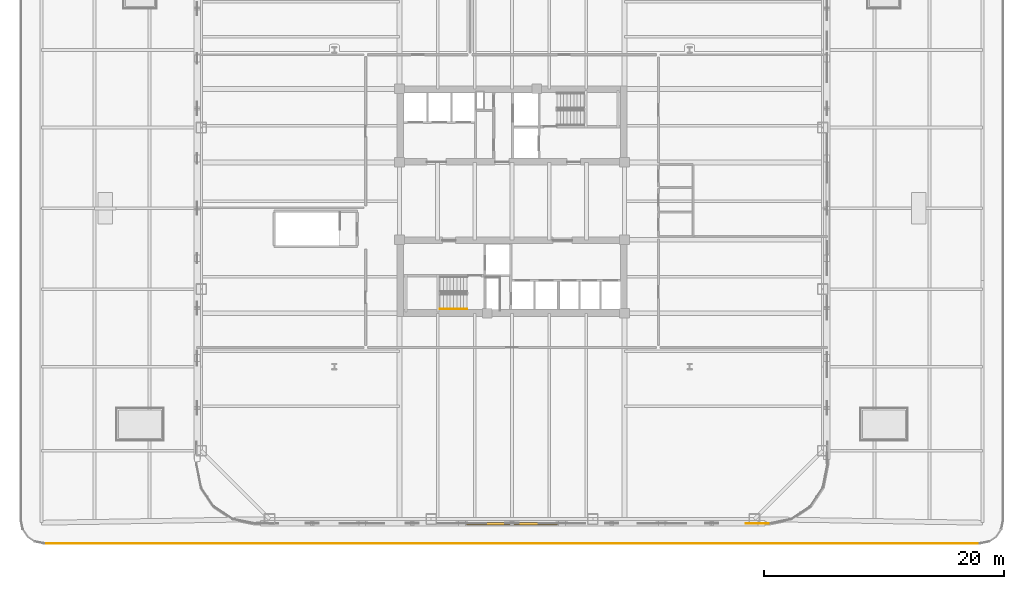
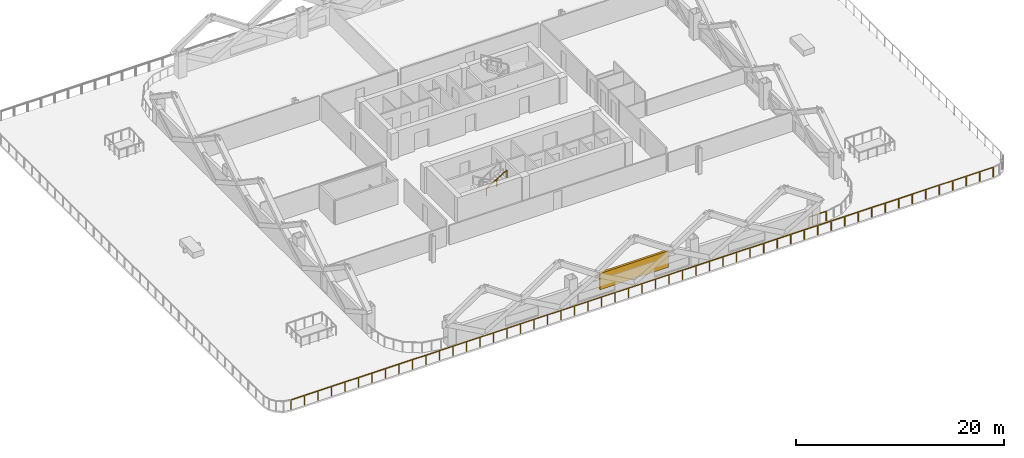
# One storey, part 12 of 17: 3 railings, 1 shading device.
"""IFC4 building model written with IfcOpenShell, lengths in metres."""

import ifcopenshell
import ifcopenshell.guid

model = None  # the IFC model being written
_history = None  # IfcOwnerHistory: only IFC2X3 demands one
_inside = {}  # id of a spatial element -> (the spatial element, [elements in it])
_under = {}  # id of a project, library or spatial element -> (it, [spatial elements below it])
_declared = {}  # id of a project -> (the project, [libraries it declares])
_typed = {}  # id of a type object -> (the type object, [elements of that type])
_made_of = {}  # id of a material, layer set ... -> (it, [elements and type objects made of it])


def new_model(schema):
    """Start an empty IFC model of exactly this schema.

    Asked for "IFC4X3", IfcOpenShell would pick the latest addendum, in which some entities
    have other attributes; the version numbers below select the first issue.
    IFC2X3 requires an IfcOwnerHistory on every rooted entity: one is made here for all.
    """
    global model, _history
    if schema == "IFC4X3":
        model = ifcopenshell.file(schema_version=(4, 3, 0, 0))
    else:
        model = ifcopenshell.file(schema=schema)
    _inside.clear()
    _under.clear()
    _declared.clear()
    _typed.clear()
    _made_of.clear()
    _history = None
    if model.schema == "IFC2X3":
        org = make("IfcOrganization", Name="unknown")
        user = make(
            "IfcPersonAndOrganization",
            ThePerson=make("IfcPerson", FamilyName="unknown"),
            TheOrganization=org,
        )
        app = make(
            "IfcApplication",
            ApplicationDeveloper=org,
            Version="unknown",
            ApplicationFullName="unknown",
            ApplicationIdentifier="unknown",
        )
        _history = make(
            "IfcOwnerHistory",
            OwningUser=user,
            OwningApplication=app,
            ChangeAction="ADDED",
            CreationDate=0,
        )
    return model


def make(cls, **values):
    """One entity of the class cls with the attributes given. An attribute that is None is left unset."""
    return model.create_entity(
        cls, **{name: value for name, value in values.items() if value is not None}
    )


def rooted(cls, **values):
    """An entity with a GlobalId (a new one), such as an element, a storey or a relation."""
    return make(cls, GlobalId=ifcopenshell.guid.new(), OwnerHistory=_history, **values)


def si_unit(unit_type, name, prefix=None):
    """IfcSIUnit, for example si_unit("LENGTHUNIT", "METRE", prefix="MILLI")."""
    return make("IfcSIUnit", UnitType=unit_type, Prefix=prefix, Name=name)


def assignment(units):
    """IfcUnitAssignment: the units of a project."""
    return None if units is None else make("IfcUnitAssignment", Units=units)


def point(xyz):
    """IfcCartesianPoint."""
    return None if xyz is None else make("IfcCartesianPoint", Coordinates=xyz)


def direction(xyz):
    """IfcDirection."""
    return None if xyz is None else make("IfcDirection", DirectionRatios=xyz)


def frame(location, z_axis=None, x_axis=None):
    """IfcAxis2Placement3D, a coordinate frame: its origin and axes. An axis left out is left unset."""
    return make(
        "IfcAxis2Placement3D",
        Location=point(location),
        Axis=direction(z_axis),
        RefDirection=direction(x_axis),
    )


def frame_2d(location, x_axis=None):
    """IfcAxis2Placement2D, a coordinate frame in the plane: its origin and x axis."""
    return make(
        "IfcAxis2Placement2D", Location=point(location), RefDirection=direction(x_axis)
    )


def origin():
    """The frame at (0, 0, 0) with its axes left unset."""
    return frame((0.0, 0.0, 0.0))


def origin_2d():
    """The frame at (0, 0) in the plane with its x axis left unset."""
    return frame_2d((0.0, 0.0))


def place(relative_to, where):
    """IfcLocalPlacement: puts the frame where relative to a parent placement (None: the world)."""
    return make(
        "IfcLocalPlacement", PlacementRelTo=relative_to, RelativePlacement=where
    )


def context(
    kind, dimensions, precision=None, world=None, true_north=None, identifier=None
):
    """IfcGeometricRepresentationContext, for example the 3D "Model" context."""
    return make(
        "IfcGeometricRepresentationContext",
        ContextIdentifier=identifier,
        ContextType=kind,
        CoordinateSpaceDimension=dimensions,
        Precision=precision,
        WorldCoordinateSystem=world,
        TrueNorth=true_north,
    )


def subcontext(parent, identifier, kind, view, scale=None):
    """IfcGeometricRepresentationSubContext, for example "Body" below "Model"."""
    return make(
        "IfcGeometricRepresentationSubContext",
        ContextIdentifier=identifier,
        ContextType=kind,
        ParentContext=parent,
        TargetScale=scale,
        TargetView=view,
    )


def project(units=None, contexts=None):
    """IfcProject with its units and contexts."""
    return rooted(
        "IfcProject",
        Name="project",
        RepresentationContexts=contexts,
        UnitsInContext=assignment(units),
    )


def spatial(cls, under=None, at=None, **own):
    """A site, building, storey or space (cls), placed at a placement, below another one or the project."""
    s = rooted(cls, ObjectPlacement=at, **own)
    if under is not None:
        _under.setdefault(under.id(), (under, []))[1].append(s)
    return s


def profile(cls, at=None, kind="AREA", **sizes):
    """A parametric profile (cls). Its sizes go by their IFC names, for example OverallWidth=200.0."""
    return make(cls, ProfileType=kind, Position=at, **sizes)


def rectangle(**sizes):
    """IfcRectangleProfileDef."""
    return profile("IfcRectangleProfileDef", **sizes)


def extrude(swept, where, along, depth):
    """IfcExtrudedAreaSolid: the profile swept, set in the frame where, extruded along a direction by depth."""
    return make(
        "IfcExtrudedAreaSolid",
        SweptArea=swept,
        Position=where,
        ExtrudedDirection=direction(along),
        Depth=depth,
    )


def shape(context_of_items, identifier, shape_type, items):
    """IfcShapeRepresentation: the items that make up one representation, for example the "Body"."""
    return make(
        "IfcShapeRepresentation",
        ContextOfItems=context_of_items,
        RepresentationIdentifier=identifier,
        RepresentationType=shape_type,
        Items=items,
    )


def material(Name=None, Category=None):
    """IfcMaterial."""
    return make("IfcMaterial", Name=Name, Category=Category)


def made_of(thing, what):
    """Note that an element or type object is made of a material, layer set ...; save() writes the relation."""
    if what is not None:
        _made_of.setdefault(what.id(), (what, []))[1].append(thing)
    return thing


def type_object(cls, material=None, **own):
    """A type object (cls), such as IfcWallType, which elements share."""
    return made_of(rooted(cls, **own), material)


def element(
    cls,
    number,
    at=None,
    inside=None,
    cuts=None,
    type_object=None,
    material=None,
    context=None,
    identifier="Body",
    shape_type=None,
    held_by="IfcProductDefinitionShape",
    body=None,
    shapes=None,
    **own,
):
    """One element of the class cls, such as IfcWall. Its Tag is "e" and its number.

    at: its placement. inside: the storey or other place that contains it. cuts: it is an
    opening in that element (IfcRelVoidsElement). A single representation is given by context,
    identifier, shape_type and body (its items); several are given by shapes. held_by: the class
    of the entity that holds the representations. save() writes the other relations.
    """
    e = rooted(cls, Tag="e%d" % number, ObjectPlacement=at, **own)
    if body is not None:
        shapes = [shape(context, identifier, shape_type, body)]
    if shapes is not None:
        e.Representation = make(held_by, Representations=shapes)
    if inside is not None:
        _inside.setdefault(inside.id(), (inside, []))[1].append(e)
    if cuts is not None:
        rooted(
            "IfcRelVoidsElement", RelatingBuildingElement=cuts, RelatedOpeningElement=e
        )
    if type_object is not None:
        _typed.setdefault(type_object.id(), (type_object, []))[1].append(e)
    return made_of(e, material)


def aggregate(whole, parts):
    """IfcRelAggregates: a whole, such as a stair, and the parts it consists of."""
    return rooted("IfcRelAggregates", RelatingObject=whole, RelatedObjects=parts)


def save(model, path):
    """Write the relations noted so far, then the file.

    IfcRelAggregates (storeys below a building ...), IfcRelContainedInSpatialStructure (elements
    in a storey), IfcRelDefinesByType, IfcRelAssociatesMaterial and IfcRelDeclares: one each for
    every whole, place, type object, material and project.
    """
    for whole, parts in _under.values():
        aggregate(whole, parts)
    for where, things in _inside.values():
        rooted(
            "IfcRelContainedInSpatialStructure",
            RelatedElements=things,
            RelatingStructure=where,
        )
    for kind, things in _typed.values():
        rooted("IfcRelDefinesByType", RelatedObjects=things, RelatingType=kind)
    for what, things in _made_of.values():
        rooted("IfcRelAssociatesMaterial", RelatedObjects=things, RelatingMaterial=what)
    for by, libraries in _declared.values():
        rooted("IfcRelDeclares", RelatingContext=by, RelatedDefinitions=libraries)
    model.write(path)


model = new_model("IFC4")

# Units and contexts
model_context = context("Model", 3, precision=1e-05, world=origin(), true_north=direction((0.0, 1.0)))
body_context = subcontext(model_context, "Body", "Model", "MODEL_VIEW")
ifc_project = project(units=[si_unit("LENGTHUNIT", "METRE"), si_unit("AREAUNIT", "SQUARE_METRE"), si_unit("VOLUMEUNIT", "CUBIC_METRE"), si_unit("PLANEANGLEUNIT", "RADIAN"), si_unit("MASSUNIT", "GRAM", prefix="KILO")], contexts=[model_context])

# Site, building, storey
site_placement = place(None, origin())
site = spatial("IfcSite", under=ifc_project, at=site_placement, CompositionType="ELEMENT")
building_placement = place(site_placement, origin())
building = spatial("IfcBuilding", under=site, at=building_placement, Name="Qhalaya Broadcast Tower", CompositionType="ELEMENT")
storey_placement = place(building_placement, frame((0.0, 0.0, 26.10009765625)))
storey = spatial("IfcBuildingStorey", under=building, at=storey_placement, Name="L06", CompositionType="ELEMENT", Elevation=26.10009765625)

# Railings
ifc_material_1 = material(Name="Powder-Coated Galvanised Steel", Category="steel")
railing_type_1 = type_object("IfcRailingType", Name="Stair Wall Handrail 900", PredefinedType="HANDRAIL", material=ifc_material_1)
railing_1_placement = place(storey_placement, frame((-5.989990234375, -8.389892578125, 1.6943359375)))
element("IfcRailing", 1, at=railing_1_placement, inside=storey, type_object=railing_type_1, Name="L06 ST-2 Stair Handrail 2", PredefinedType="HANDRAIL", context=body_context, shape_type="SweptSolid", body=[
    extrude(rectangle(XDim=0.048095703125, YDim=0.048095703125, at=origin_2d()), frame((0.0, 0.0, 0.8759765625), z_axis=(0.855553338991, 0.0, 0.51771467445), x_axis=(0.0, 1.0, 0.0)), (0.0, 0.0, 1.0), 2.6181640625),
    extrude(rectangle(XDim=0.0419921875, YDim=0.0419921875, at=origin_2d()), origin(), (0.0, 0.0, 1.0), 0.849853515625),
    extrude(rectangle(XDim=0.0419921875, YDim=0.0419921875, at=origin_2d()), frame((1.1201171875, 0.0, 0.677734375)), (0.0, 0.0, 1.0), 0.849853515625),
    extrude(rectangle(XDim=0.0419921875, YDim=0.0419921875, at=origin_2d()), frame((2.239990234375, 0.0, 1.35546875)), (0.0, 0.0, 1.0), 0.849853515625),
])
railing_type_2 = type_object("IfcRailingType", Name="Terrace, Sky-Pool & Lookout Glass Balustrade 1150", PredefinedType="BALUSTRADE", material=ifc_material_1)
railing_2_placement = place(storey_placement, frame((38.9921875, -27.919921875, 0.0)))
element("IfcRailing", 2, at=railing_2_placement, inside=storey, type_object=railing_type_2, Name="L06 Perimeter Safety Balustrade BAL-TER1-01", PredefinedType="BALUSTRADE", context=body_context, shape_type="SweptSolid", body=[
    extrude(rectangle(XDim=0.048095703125, YDim=0.048095703125, at=origin_2d()), frame((0.0, 0.0, 1.1259765625), z_axis=(-1.0, 0.0, 0.0), x_axis=(0.0, -1.0, 0.0)), (0.0, 0.0, 1.0), 77.984375),
    extrude(rectangle(XDim=0.0419921875, YDim=0.0419921875, at=origin_2d()), origin(), (0.0, 0.0, 1.0), 1.099853515625),
    extrude(rectangle(XDim=0.0419921875, YDim=0.0419921875, at=origin_2d()), frame((-1.499755859375, 0.0, 0.0)), (0.0, 0.0, 1.0), 1.099853515625),
    extrude(rectangle(XDim=0.0419921875, YDim=0.0419921875, at=origin_2d()), frame((-2.99951171875, 0.0, 0.0)), (0.0, 0.0, 1.0), 1.099853515625),
    extrude(rectangle(XDim=0.0419921875, YDim=0.0419921875, at=origin_2d()), frame((-4.4990234375, 0.0, 0.0)), (0.0, 0.0, 1.0), 1.099853515625),
    extrude(rectangle(XDim=0.0419921875, YDim=0.0419921875, at=origin_2d()), frame((-5.998779296875, 0.0, 0.0)), (0.0, 0.0, 1.0), 1.099853515625),
    extrude(rectangle(XDim=0.0419921875, YDim=0.0419921875, at=origin_2d()), frame((-7.49853515625, 0.0, 0.0)), (0.0, 0.0, 1.0), 1.099853515625),
    extrude(rectangle(XDim=0.0419921875, YDim=0.0419921875, at=origin_2d()), frame((-8.998291015625, 0.0, 0.0)), (0.0, 0.0, 1.0), 1.099853515625),
    extrude(rectangle(XDim=0.0419921875, YDim=0.0419921875, at=origin_2d()), frame((-10.497802734375, 0.0, 0.0)), (0.0, 0.0, 1.0), 1.099853515625),
    extrude(rectangle(XDim=0.0419921875, YDim=0.0419921875, at=origin_2d()), frame((-11.99755859375, 0.0, 0.0)), (0.0, 0.0, 1.0), 1.099853515625),
    extrude(rectangle(XDim=0.0419921875, YDim=0.0419921875, at=origin_2d()), frame((-13.497314453125, 0.0, 0.0)), (0.0, 0.0, 1.0), 1.099853515625),
    extrude(rectangle(XDim=0.0419921875, YDim=0.0419921875, at=origin_2d()), frame((-14.9970703125, 0.0, 0.0)), (0.0, 0.0, 1.0), 1.099853515625),
    extrude(rectangle(XDim=0.0419921875, YDim=0.0419921875, at=origin_2d()), frame((-16.49658203125, 0.0, 0.0)), (0.0, 0.0, 1.0), 1.099853515625),
    extrude(rectangle(XDim=0.0419921875, YDim=0.0419921875, at=origin_2d()), frame((-17.996337890625, 0.0, 0.0)), (0.0, 0.0, 1.0), 1.099853515625),
    extrude(rectangle(XDim=0.0419921875, YDim=0.0419921875, at=origin_2d()), frame((-19.49609375, 0.0, 0.0)), (0.0, 0.0, 1.0), 1.099853515625),
    extrude(rectangle(XDim=0.0419921875, YDim=0.0419921875, at=origin_2d()), frame((-20.995849609375, 0.0, 0.0)), (0.0, 0.0, 1.0), 1.099853515625),
    extrude(rectangle(XDim=0.0419921875, YDim=0.0419921875, at=origin_2d()), frame((-22.49560546875, 0.0, 0.0)), (0.0, 0.0, 1.0), 1.099853515625),
    extrude(rectangle(XDim=0.0419921875, YDim=0.0419921875, at=origin_2d()), frame((-23.9951171875, 0.0, 0.0)), (0.0, 0.0, 1.0), 1.099853515625),
    extrude(rectangle(XDim=0.0419921875, YDim=0.0419921875, at=origin_2d()), frame((-25.494873046875, 0.0, 0.0)), (0.0, 0.0, 1.0), 1.099853515625),
    extrude(rectangle(XDim=0.0419921875, YDim=0.0419921875, at=origin_2d()), frame((-26.99462890625, 0.0, 0.0)), (0.0, 0.0, 1.0), 1.099853515625),
    extrude(rectangle(XDim=0.0419921875, YDim=0.0419921875, at=origin_2d()), frame((-28.494384765625, 0.0, 0.0)), (0.0, 0.0, 1.0), 1.099853515625),
    extrude(rectangle(XDim=0.0419921875, YDim=0.0419921875, at=origin_2d()), frame((-29.993896484375, 0.0, 0.0)), (0.0, 0.0, 1.0), 1.099853515625),
    extrude(rectangle(XDim=0.0419921875, YDim=0.0419921875, at=origin_2d()), frame((-31.49365234375, 0.0, 0.0)), (0.0, 0.0, 1.0), 1.099853515625),
    extrude(rectangle(XDim=0.0419921875, YDim=0.0419921875, at=origin_2d()), frame((-32.993408203125, 0.0, 0.0)), (0.0, 0.0, 1.0), 1.099853515625),
    extrude(rectangle(XDim=0.0419921875, YDim=0.0419921875, at=origin_2d()), frame((-34.4931640625, 0.0, 0.0)), (0.0, 0.0, 1.0), 1.099853515625),
    extrude(rectangle(XDim=0.0419921875, YDim=0.0419921875, at=origin_2d()), frame((-35.99267578125, 0.0, 0.0)), (0.0, 0.0, 1.0), 1.099853515625),
    extrude(rectangle(XDim=0.0419921875, YDim=0.0419921875, at=origin_2d()), frame((-37.492431640625, 0.0, 0.0)), (0.0, 0.0, 1.0), 1.099853515625),
    extrude(rectangle(XDim=0.0419921875, YDim=0.0419921875, at=origin_2d()), frame((-38.9921875, 0.0, 0.0)), (0.0, 0.0, 1.0), 1.099853515625),
    extrude(rectangle(XDim=0.0419921875, YDim=0.0419921875, at=origin_2d()), frame((-40.491943359375, 0.0, 0.0)), (0.0, 0.0, 1.0), 1.099853515625),
    extrude(rectangle(XDim=0.0419921875, YDim=0.0419921875, at=origin_2d()), frame((-41.99169921875, 0.0, 0.0)), (0.0, 0.0, 1.0), 1.099853515625),
    extrude(rectangle(XDim=0.0419921875, YDim=0.0419921875, at=origin_2d()), frame((-43.4912109375, 0.0, 0.0)), (0.0, 0.0, 1.0), 1.099853515625),
    extrude(rectangle(XDim=0.0419921875, YDim=0.0419921875, at=origin_2d()), frame((-44.990966796875, 0.0, 0.0)), (0.0, 0.0, 1.0), 1.099853515625),
    extrude(rectangle(XDim=0.0419921875, YDim=0.0419921875, at=origin_2d()), frame((-46.49072265625, 0.0, 0.0)), (0.0, 0.0, 1.0), 1.099853515625),
    extrude(rectangle(XDim=0.0419921875, YDim=0.0419921875, at=origin_2d()), frame((-47.990478515625, 0.0, 0.0)), (0.0, 0.0, 1.0), 1.099853515625),
    extrude(rectangle(XDim=0.0419921875, YDim=0.0419921875, at=origin_2d()), frame((-49.489990234375, 0.0, 0.0)), (0.0, 0.0, 1.0), 1.099853515625),
    extrude(rectangle(XDim=0.0419921875, YDim=0.0419921875, at=origin_2d()), frame((-50.98974609375, 0.0, 0.0)), (0.0, 0.0, 1.0), 1.099853515625),
    extrude(rectangle(XDim=0.0419921875, YDim=0.0419921875, at=origin_2d()), frame((-52.489501953125, 0.0, 0.0)), (0.0, 0.0, 1.0), 1.099853515625),
    extrude(rectangle(XDim=0.0419921875, YDim=0.0419921875, at=origin_2d()), frame((-53.9892578125, 0.0, 0.0)), (0.0, 0.0, 1.0), 1.099853515625),
    extrude(rectangle(XDim=0.0419921875, YDim=0.0419921875, at=origin_2d()), frame((-55.48876953125, 0.0, 0.0)), (0.0, 0.0, 1.0), 1.099853515625),
    extrude(rectangle(XDim=0.0419921875, YDim=0.0419921875, at=origin_2d()), frame((-56.988525390625, 0.0, 0.0)), (0.0, 0.0, 1.0), 1.099853515625),
    extrude(rectangle(XDim=0.0419921875, YDim=0.0419921875, at=origin_2d()), frame((-58.48828125, 0.0, 0.0)), (0.0, 0.0, 1.0), 1.099853515625),
    extrude(rectangle(XDim=0.0419921875, YDim=0.0419921875, at=origin_2d()), frame((-59.988037109375, 0.0, 0.0)), (0.0, 0.0, 1.0), 1.099853515625),
    extrude(rectangle(XDim=0.0419921875, YDim=0.0419921875, at=origin_2d()), frame((-61.48779296875, 0.0, 0.0)), (0.0, 0.0, 1.0), 1.099853515625),
    extrude(rectangle(XDim=0.0419921875, YDim=0.0419921875, at=origin_2d()), frame((-62.9873046875, 0.0, 0.0)), (0.0, 0.0, 1.0), 1.099853515625),
    extrude(rectangle(XDim=0.0419921875, YDim=0.0419921875, at=origin_2d()), frame((-64.487060546875, 0.0, 0.0)), (0.0, 0.0, 1.0), 1.099853515625),
    extrude(rectangle(XDim=0.0419921875, YDim=0.0419921875, at=origin_2d()), frame((-65.98681640625, 0.0, 0.0)), (0.0, 0.0, 1.0), 1.099853515625),
    extrude(rectangle(XDim=0.0419921875, YDim=0.0419921875, at=origin_2d()), frame((-67.486572265625, 0.0, 0.0)), (0.0, 0.0, 1.0), 1.099853515625),
    extrude(rectangle(XDim=0.0419921875, YDim=0.0419921875, at=origin_2d()), frame((-68.986083984375, 0.0, 0.0)), (0.0, 0.0, 1.0), 1.099853515625),
    extrude(rectangle(XDim=0.0419921875, YDim=0.0419921875, at=origin_2d()), frame((-70.48583984375, 0.0, 0.0)), (0.0, 0.0, 1.0), 1.099853515625),
    extrude(rectangle(XDim=0.0419921875, YDim=0.0419921875, at=origin_2d()), frame((-71.985595703125, 0.0, 0.0)), (0.0, 0.0, 1.0), 1.099853515625),
    extrude(rectangle(XDim=0.0419921875, YDim=0.0419921875, at=origin_2d()), frame((-73.4853515625, 0.0, 0.0)), (0.0, 0.0, 1.0), 1.099853515625),
    extrude(rectangle(XDim=0.0419921875, YDim=0.0419921875, at=origin_2d()), frame((-74.98486328125, 0.0, 0.0)), (0.0, 0.0, 1.0), 1.099853515625),
    extrude(rectangle(XDim=0.0419921875, YDim=0.0419921875, at=origin_2d()), frame((-76.484619140625, 0.0, 0.0)), (0.0, 0.0, 1.0), 1.099853515625),
    extrude(rectangle(XDim=0.0419921875, YDim=0.0419921875, at=origin_2d()), frame((-77.984375, 0.0, 0.0)), (0.0, 0.0, 1.0), 1.099853515625),
])
railing_3_placement = place(storey_placement, frame((21.38818359375, -26.280029296875, 0.0)))
element("IfcRailing", 3, at=railing_3_placement, inside=storey, type_object=railing_type_2, Name="L06 Rounded Corner Perimeter Guard 01", PredefinedType="BALUSTRADE", context=body_context, shape_type="SweptSolid", body=[
    extrude(rectangle(XDim=0.048095703125, YDim=0.048095703125, at=origin_2d()), frame((0.0, 0.0, 1.1259765625), z_axis=(-1.0, 0.0, 0.0), x_axis=(0.0, -1.0, 0.0)), (0.0, 0.0, 1.0), 1.90625),
    extrude(rectangle(XDim=0.0419921875, YDim=0.0419921875, at=origin_2d()), origin(), (0.0, 0.0, 1.0), 1.099853515625),
    extrude(rectangle(XDim=0.0419921875, YDim=0.0419921875, at=origin_2d()), frame((-0.953125, 0.0, 0.0)), (0.0, 0.0, 1.0), 1.099853515625),
    extrude(rectangle(XDim=0.0419921875, YDim=0.0419921875, at=origin_2d()), frame((-1.90625, 0.0, 0.0)), (0.0, 0.0, 1.0), 1.099853515625),
])

# Shading device
ifc_material_2 = material(Name="Fired Architectural Terracotta", Category="masonry")
shading_device_type = type_object("IfcShadingDeviceType", Name="Terracotta Baguette Solar Screen Assembly TBS-01", PredefinedType="USERDEFINED", material=ifc_material_2)
shading_device_placement = place(storey_placement, frame((0.0, -26.280029296875, 0.79248046875), z_axis=(0.0, 0.0, 1.0), x_axis=(1.0, 0.0, 0.0)))
element("IfcShadingDevice", 4, at=shading_device_placement, inside=storey, type_object=shading_device_type, Name="L06 Fired Terracotta Baguette Screen S", ObjectType="BAGUETTE", PredefinedType="USERDEFINED", context=body_context, shape_type="SweptSolid", body=[
    extrude(rectangle(XDim=7.60009765625, YDim=0.239990234375, at=origin_2d()), origin(), (0.0, 0.0, 1.0), 1.924072265625),
])

save(model, "model.ifc")
